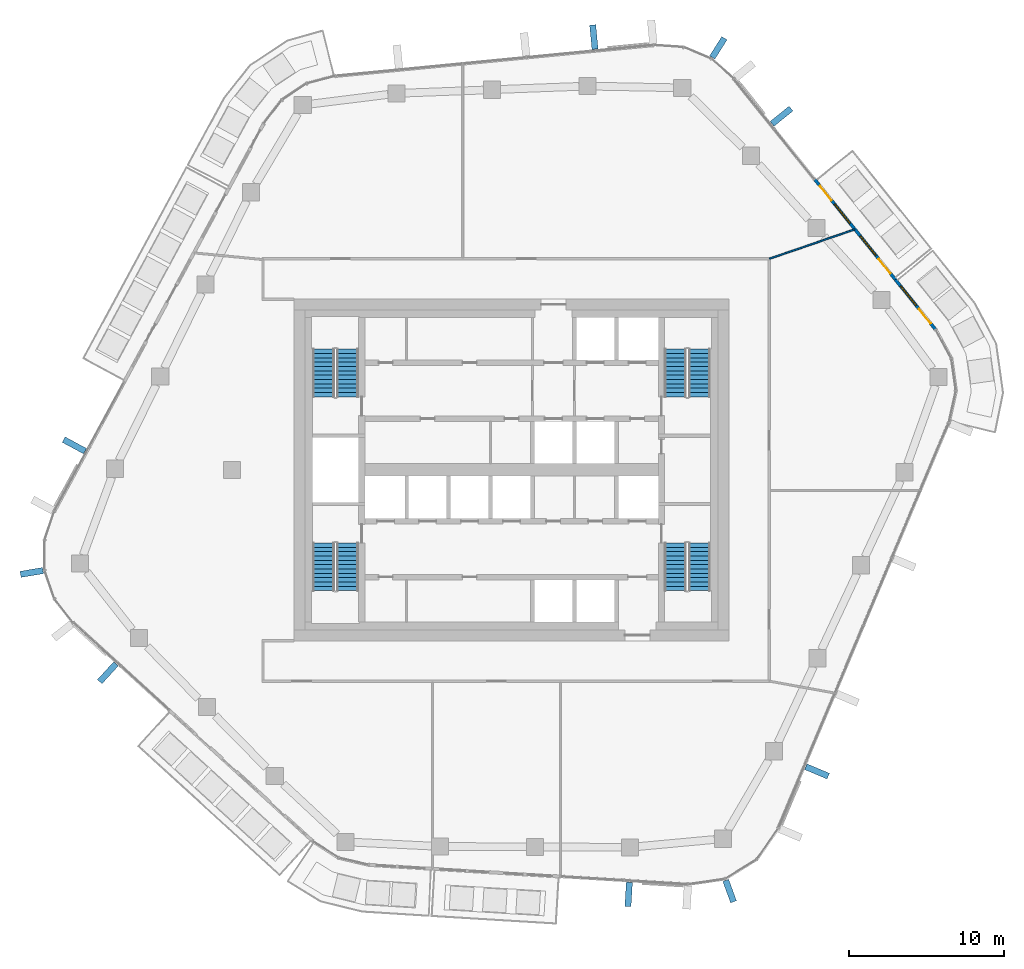
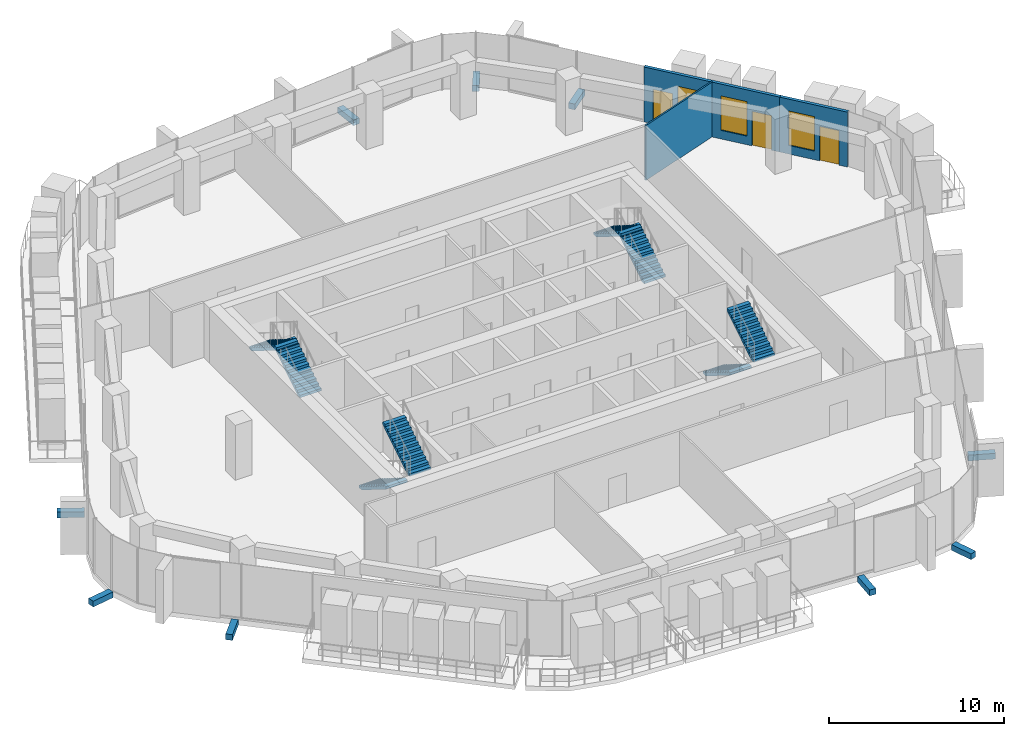
# One storey, part 14 of 20: 9 discrete accessories, 8 stair flights, 3 doors, 3 walls, 3 windows, 6 openings, 4 elements without a shape of their own.
"""IFC4 building model written with IfcOpenShell, lengths in metres."""

from ifc_helpers import new_model, si_unit, direction, frame, frame_2d, origin, origin_2d, place, context, subcontext, project, spatial, polyline, rectangle, outline, extrude, material, layer, layer_set, type_object, element, fill, aggregate, save


model = new_model("IFC4")

# Units and contexts
model_context = context("Model", 3, precision=1e-05, world=origin(), true_north=direction((0.0, 1.0)))
body_context = subcontext(model_context, "Body", "Model", "MODEL_VIEW")
ifc_project = project(units=[si_unit("LENGTHUNIT", "METRE"), si_unit("AREAUNIT", "SQUARE_METRE"), si_unit("VOLUMEUNIT", "CUBIC_METRE"), si_unit("PLANEANGLEUNIT", "RADIAN"), si_unit("MASSUNIT", "GRAM", prefix="KILO")], contexts=[model_context])

# Site, building, storey
site_placement = place(None, origin())
site = spatial("IfcSite", under=ifc_project, at=site_placement, CompositionType="ELEMENT")
building_placement = place(site_placement, origin())
building = spatial("IfcBuilding", under=site, at=building_placement, Name="Dongbaek Canopy Tower", CompositionType="ELEMENT")
storey_placement = place(building_placement, frame((0.0, 0.0, 258.0)))
storey = spatial("IfcBuildingStorey", under=building, at=storey_placement, Name="L54", CompositionType="ELEMENT", Elevation=258.0)

# Wall
ifc_material_1 = material(Name="Gypsum board partition, steel stud, 2 x 12.5 mm board", Category="steel")
ifc_layer_1 = layer(ifc_material_1, 0.10009765625)
ifc_layer_set_1 = layer_set([ifc_layer_1], Name="Partition 100 gypsum board")
wall_type_1 = type_object("IfcWallType", Name="Partition 100 gypsum board", PredefinedType="PARTITIONING", material=ifc_layer_set_1)
wall_1_placement = place(storey_placement, frame((16.60009765625, 13.599853515625, 0.0), z_axis=(0.0, 0.0, 1.0), x_axis=(0.946142628781, 0.323750098073, 0.0)))
element("IfcWall", 1, at=wall_1_placement, inside=storey, type_object=wall_type_1, Name="Partition", PredefinedType="PARTITIONING", context=body_context, shape_type="SweptSolid", body=[
    extrude(rectangle(XDim=5.80517578125, YDim=0.10009765625, at=frame_2d((2.902587890625, 0.0))), origin(), (0.0, 0.0, 1.0), 3.820068359375),
])

# Wall, openings, doors, windows
ifc_material_2 = material(Name="Aluminium window wall", Category="aluminium")
ifc_layer_2 = layer(ifc_material_2, 0.199951171875)
ifc_layer_set_2 = layer_set([ifc_layer_2], Name="Window wall 200")
wall_type_2 = type_object("IfcWallType", Name="Window wall 200", PredefinedType="SOLIDWALL", material=ifc_layer_set_2)
wall_2_placement = place(storey_placement, frame((24.712158203125, 12.25537109375, 0.0), z_axis=(0.0, 0.0, 1.0), x_axis=(-0.626871708653, 0.77912249415, 0.0)))
wall_2 = element("IfcWall", 2, at=wall_2_placement, inside=storey, type_object=wall_type_2, Name="Window wall L54 1", PredefinedType="SOLIDWALL", context=body_context, shape_type="SweptSolid", body=[
    extrude(rectangle(XDim=8.29345703125, YDim=0.199951171875, at=frame_2d((4.146728515625, 0.0))), origin(), (0.0, 0.0, 1.0), 3.820068359375),
])
opening_1_placement = place(wall_2_placement, frame((2.0, 0.0, 0.60009765625)))
opening_1 = element("IfcOpeningElement", 3, at=opening_1_placement, cuts=wall_2, Name="Opening W1", PredefinedType="OPENING", context=body_context, shape_type="SweptSolid", body=[
    extrude(rectangle(XDim=1.60009765625, YDim=2.39990234375, at=frame_2d((0.800048828125, 1.199951171875))), frame((0.0, 0.10986328125, 0.0), z_axis=(0.0, -1.0, 0.0), x_axis=(1.0, 0.0, 0.0)), (0.0, 0.0, 1.0), 0.219970703125),
])
opening_2_placement = place(wall_2_placement, frame((0.5, 0.0, 0.0)))
opening_2 = element("IfcOpeningElement", 4, at=opening_2_placement, cuts=wall_2, Name="Opening L54-B01", PredefinedType="OPENING", context=body_context, shape_type="SweptSolid", body=[
    extrude(rectangle(XDim=1.199951171875, YDim=2.39990234375, at=frame_2d((0.60009765625, 1.199951171875))), frame((0.0, 0.10986328125, 0.0), z_axis=(0.0, -1.0, 0.0), x_axis=(1.0, 0.0, 0.0)), (0.0, 0.0, 1.0), 0.219970703125),
])
opening_3_placement = place(wall_2_placement, frame((4.646728515625, 0.0, 0.60009765625)))
opening_3 = element("IfcOpeningElement", 5, at=opening_3_placement, cuts=wall_2, Name="Opening W1", PredefinedType="OPENING", context=body_context, shape_type="SweptSolid", body=[
    extrude(rectangle(XDim=1.60009765625, YDim=2.39990234375, at=frame_2d((0.800048828125, 1.199951171875))), frame((0.0, 0.10986328125, 0.0), z_axis=(0.0, -1.0, 0.0), x_axis=(1.0, 0.0, 0.0)), (0.0, 0.0, 1.0), 0.219970703125),
])
opening_4_placement = place(wall_2_placement, frame((6.546875, 0.0, 0.0)))
opening_4 = element("IfcOpeningElement", 6, at=opening_4_placement, cuts=wall_2, Name="Opening L54-B02", PredefinedType="OPENING", context=body_context, shape_type="SweptSolid", body=[
    extrude(rectangle(XDim=1.199951171875, YDim=2.39990234375, at=frame_2d((0.60009765625, 1.199951171875))), frame((0.0, 0.10986328125, 0.0), z_axis=(0.0, -1.0, 0.0), x_axis=(1.0, 0.0, 0.0)), (0.0, 0.0, 1.0), 0.219970703125),
])
ifc_material_3 = material(Name="Clear glazing in aluminium frame", Category="aluminium")
door_type = type_object("IfcDoorType", Name="Balcony door BD1 1200 x 2400", OperationType="SLIDING_TO_LEFT", PredefinedType="DOOR", material=ifc_material_3)
door_1_placement = place(opening_2_placement, origin())
door_1 = element("IfcDoor", 7, at=door_1_placement, inside=storey, type_object=door_type, Name="Balcony door L54-B01", OperationType="SLIDING_TO_LEFT", OverallHeight=2.39990234375, OverallWidth=1.199951171875, PredefinedType="DOOR", context=body_context, shape_type="SweptSolid", body=[
    extrude(rectangle(XDim=1.199951171875, YDim=2.39990234375, at=frame_2d((0.60009765625, 1.199951171875))), frame((0.0, 0.02490234375, 0.0), z_axis=(0.0, -1.0, 0.0), x_axis=(1.0, 0.0, 0.0)), (0.0, 0.0, 1.0), 0.050048828125),
])
fill(opening_2, door_1)
door_2_placement = place(opening_4_placement, origin())
door_2 = element("IfcDoor", 8, at=door_2_placement, inside=storey, type_object=door_type, Name="Balcony door L54-B02", OperationType="SLIDING_TO_LEFT", OverallHeight=2.39990234375, OverallWidth=1.199951171875, PredefinedType="DOOR", context=body_context, shape_type="SweptSolid", body=[
    extrude(rectangle(XDim=1.199951171875, YDim=2.39990234375, at=frame_2d((0.60009765625, 1.199951171875))), frame((0.0, 0.02490234375, 0.0), z_axis=(0.0, -1.0, 0.0), x_axis=(1.0, 0.0, 0.0)), (0.0, 0.0, 1.0), 0.050048828125),
])
fill(opening_4, door_2)
ifc_material_4 = material(Name="Clear glazing in aluminium frame", Category="aluminium")
window_type = type_object("IfcWindowType", Name="Window W1 1600 x 2400", PartitioningType="SINGLE_PANEL", PredefinedType="WINDOW", material=ifc_material_4)
window_1_placement = place(opening_1_placement, origin())
window_1 = element("IfcWindow", 9, at=window_1_placement, inside=storey, type_object=window_type, Name="Window L54 1.1", OverallHeight=2.39990234375, OverallWidth=1.60009765625, PartitioningType="SINGLE_PANEL", PredefinedType="WINDOW", context=body_context, shape_type="SweptSolid", body=[
    extrude(rectangle(XDim=1.60009765625, YDim=2.39990234375, at=frame_2d((0.800048828125, 1.199951171875))), frame((0.0, 0.030029296875, 0.0), z_axis=(0.0, -1.0, 0.0), x_axis=(1.0, 0.0, 0.0)), (0.0, 0.0, 1.0), 0.06005859375),
])
fill(opening_1, window_1)
window_2_placement = place(opening_3_placement, origin())
window_2 = element("IfcWindow", 10, at=window_2_placement, inside=storey, type_object=window_type, Name="Window L54 1.2", OverallHeight=2.39990234375, OverallWidth=1.60009765625, PartitioningType="SINGLE_PANEL", PredefinedType="WINDOW", context=body_context, shape_type="SweptSolid", body=[
    extrude(rectangle(XDim=1.60009765625, YDim=2.39990234375, at=frame_2d((0.800048828125, 1.199951171875))), frame((0.0, 0.030029296875, 0.0), z_axis=(0.0, -1.0, 0.0), x_axis=(1.0, 0.0, 0.0)), (0.0, 0.0, 1.0), 0.06005859375),
])
fill(opening_3, window_2)

# Wall, openings, door, window
wall_3_placement = place(storey_placement, frame((27.305908203125, 9.031494140625, 0.0), z_axis=(0.0, 0.0, 1.0), x_axis=(-0.626851318776, 0.779138899137, 0.0)))
wall_3 = element("IfcWall", 11, at=wall_3_placement, inside=storey, type_object=wall_type_2, Name="Window wall L54 5", PredefinedType="SOLIDWALL", context=body_context, shape_type="SweptSolid", body=[
    extrude(rectangle(XDim=4.1376953125, YDim=0.199951171875, at=frame_2d((2.06884765625, 0.0))), origin(), (0.0, 0.0, 1.0), 3.820068359375),
])
opening_5_placement = place(wall_3_placement, frame((2.0, 0.0, 0.60009765625)))
opening_5 = element("IfcOpeningElement", 12, at=opening_5_placement, cuts=wall_3, Name="Opening W1", PredefinedType="OPENING", context=body_context, shape_type="SweptSolid", body=[
    extrude(rectangle(XDim=1.60009765625, YDim=2.39990234375, at=frame_2d((0.800048828125, 1.199951171875))), frame((0.0, 0.10986328125, 0.0), z_axis=(0.0, -1.0, 0.0), x_axis=(1.0, 0.0, 0.0)), (0.0, 0.0, 1.0), 0.219970703125),
])
opening_6_placement = place(wall_3_placement, frame((0.5, 0.0, 0.0)))
opening_6 = element("IfcOpeningElement", 13, at=opening_6_placement, cuts=wall_3, Name="Opening L54-B03", PredefinedType="OPENING", context=body_context, shape_type="SweptSolid", body=[
    extrude(rectangle(XDim=1.199951171875, YDim=2.39990234375, at=frame_2d((0.60009765625, 1.199951171875))), frame((0.0, 0.10986328125, 0.0), z_axis=(0.0, -1.0, 0.0), x_axis=(1.0, 0.0, 0.0)), (0.0, 0.0, 1.0), 0.219970703125),
])
door_3_placement = place(opening_6_placement, origin())
door_3 = element("IfcDoor", 14, at=door_3_placement, inside=storey, type_object=door_type, Name="Balcony door L54-B03", OperationType="SLIDING_TO_LEFT", OverallHeight=2.39990234375, OverallWidth=1.199951171875, PredefinedType="DOOR", context=body_context, shape_type="SweptSolid", body=[
    extrude(rectangle(XDim=1.199951171875, YDim=2.39990234375, at=frame_2d((0.60009765625, 1.199951171875))), frame((0.0, 0.02490234375, 0.0), z_axis=(0.0, -1.0, 0.0), x_axis=(1.0, 0.0, 0.0)), (0.0, 0.0, 1.0), 0.050048828125),
])
fill(opening_6, door_3)
window_3_placement = place(opening_5_placement, origin())
window_3 = element("IfcWindow", 15, at=window_3_placement, inside=storey, type_object=window_type, Name="Window L54 5.1", OverallHeight=2.39990234375, OverallWidth=1.60009765625, PartitioningType="SINGLE_PANEL", PredefinedType="WINDOW", context=body_context, shape_type="SweptSolid", body=[
    extrude(rectangle(XDim=1.60009765625, YDim=2.39990234375, at=frame_2d((0.800048828125, 1.199951171875))), frame((0.0, 0.030029296875, 0.0), z_axis=(0.0, -1.0, 0.0), x_axis=(1.0, 0.0, 0.0)), (0.0, 0.0, 1.0), 0.06005859375),
])
fill(opening_5, window_3)

# Stair, stair flights
ifc_material_5 = material(Name="Concrete C40/50", Category="concrete")
stair_type = type_object("IfcStairType", Name="Core exit stair", PredefinedType="HALF_TURN_STAIR", material=ifc_material_5)
stair_1_placement = place(storey_placement, origin())
stair_1 = element("IfcStair", 16, at=stair_1_placement, inside=storey, type_object=stair_type, Name="L54 exit stair A", PredefinedType="HALF_TURN_STAIR")
ifc_material_6 = material(Name="Concrete C40/50", Category="concrete")
ifc_layer_3 = layer(ifc_material_6, 0.14990234375)
ifc_layer_set_3 = layer_set([ifc_layer_3], Name="Core stair flight 150 waist")
stair_flight_type = type_object("IfcStairFlightType", Name="Core stair flight 150 waist", PredefinedType="STRAIGHT", material=ifc_layer_set_3)
stair_flight_1_placement = place(storey_placement, frame((12.10009765625, 4.699951171875, 0.0), z_axis=(0.0, 0.0, 1.0), x_axis=(0.0, 1.0, 0.0)))
stair_flight_1 = element("IfcStairFlight", 17, at=stair_flight_1_placement, type_object=stair_flight_type, Name="ST-A flight 1", NumberOfRisers=12, NumberOfTreads=11, PredefinedType="STRAIGHT", RiserHeight=0.175, TreadLength=0.28, context=body_context, shape_type="SweptSolid", body=[
    extrude(outline(polyline([(0.0, 0.0), (0.0, 0.175048828125), (0.280029296875, 0.175048828125), (0.280029296875, 0.35009765625), (0.56005859375, 0.35009765625), (0.56005859375, 0.52490234375), (0.840087890625, 0.52490234375), (0.840087890625, 0.699951171875), (1.1201171875, 0.699951171875), (1.1201171875, 0.875), (1.39990234375, 0.875), (1.39990234375, 1.050048828125), (1.679931640625, 1.050048828125), (1.679931640625, 1.22509765625), (1.9599609375, 1.22509765625), (1.9599609375, 1.39990234375), (2.239990234375, 1.39990234375), (2.239990234375, 1.574951171875), (2.52001953125, 1.574951171875), (2.52001953125, 1.75), (2.800048828125, 1.75), (2.800048828125, 1.925048828125), (3.080078125, 1.925048828125), (3.080078125, 2.10009765625), (3.080078125, 1.748291015625), (0.28271484375, 0.0), (0.0, 0.0)])), frame((0.0, 0.699951171875, 0.0), z_axis=(0.0, -1.0, 0.0), x_axis=(1.0, 0.0, 0.0)), (0.0, 0.0, 1.0), 1.39990234375),
])
stair_flight_2_placement = place(storey_placement, frame((10.550048828125, 7.780029296875, 2.10009765625), z_axis=(0.0, 0.0, 1.0), x_axis=(0.0, -1.0, 0.0)))
stair_flight_2 = element("IfcStairFlight", 18, at=stair_flight_2_placement, type_object=stair_flight_type, Name="ST-A flight 2", NumberOfRisers=12, NumberOfTreads=11, PredefinedType="STRAIGHT", RiserHeight=0.175, TreadLength=0.28, context=body_context, shape_type="SweptSolid", body=[
    extrude(outline(polyline([(0.0, 0.0), (0.0, 0.175048828125), (0.280029296875, 0.175048828125), (0.280029296875, 0.35009765625), (0.56005859375, 0.35009765625), (0.56005859375, 0.52490234375), (0.840087890625, 0.52490234375), (0.840087890625, 0.699951171875), (1.1201171875, 0.699951171875), (1.1201171875, 0.875), (1.39990234375, 0.875), (1.39990234375, 1.050048828125), (1.679931640625, 1.050048828125), (1.679931640625, 1.22509765625), (1.9599609375, 1.22509765625), (1.9599609375, 1.39990234375), (2.239990234375, 1.39990234375), (2.239990234375, 1.574951171875), (2.52001953125, 1.574951171875), (2.52001953125, 1.75), (2.800048828125, 1.75), (2.800048828125, 1.925048828125), (3.080078125, 1.925048828125), (3.080078125, 2.10009765625), (3.080078125, 1.748291015625), (0.28271484375, 0.0), (0.0, 0.0)])), frame((0.0, 0.699951171875, 0.0), z_axis=(0.0, -1.0, 0.0), x_axis=(1.0, 0.0, 0.0)), (0.0, 0.0, 1.0), 1.39990234375),
])
aggregate(stair_1, [stair_flight_1, stair_flight_2])

stair_2_placement = place(storey_placement, origin())
stair_2 = element("IfcStair", 19, at=stair_2_placement, inside=storey, type_object=stair_type, Name="L54 exit stair C", PredefinedType="HALF_TURN_STAIR")
stair_flight_3_placement = place(storey_placement, frame((-10.550048828125, 4.699951171875, 0.0), z_axis=(0.0, 0.0, 1.0), x_axis=(0.0, 1.0, 0.0)))
stair_flight_3 = element("IfcStairFlight", 20, at=stair_flight_3_placement, type_object=stair_flight_type, Name="ST-C flight 1", NumberOfRisers=12, NumberOfTreads=11, PredefinedType="STRAIGHT", RiserHeight=0.175, TreadLength=0.28, context=body_context, shape_type="SweptSolid", body=[
    extrude(outline(polyline([(0.0, 0.0), (0.0, 0.175048828125), (0.280029296875, 0.175048828125), (0.280029296875, 0.35009765625), (0.56005859375, 0.35009765625), (0.56005859375, 0.52490234375), (0.840087890625, 0.52490234375), (0.840087890625, 0.699951171875), (1.1201171875, 0.699951171875), (1.1201171875, 0.875), (1.39990234375, 0.875), (1.39990234375, 1.050048828125), (1.679931640625, 1.050048828125), (1.679931640625, 1.22509765625), (1.9599609375, 1.22509765625), (1.9599609375, 1.39990234375), (2.239990234375, 1.39990234375), (2.239990234375, 1.574951171875), (2.52001953125, 1.574951171875), (2.52001953125, 1.75), (2.800048828125, 1.75), (2.800048828125, 1.925048828125), (3.080078125, 1.925048828125), (3.080078125, 2.10009765625), (3.080078125, 1.748291015625), (0.28271484375, 0.0), (0.0, 0.0)])), frame((0.0, 0.699951171875, 0.0), z_axis=(0.0, -1.0, 0.0), x_axis=(1.0, 0.0, 0.0)), (0.0, 0.0, 1.0), 1.39990234375),
])
stair_flight_4_placement = place(storey_placement, frame((-12.10009765625, 7.780029296875, 2.10009765625), z_axis=(0.0, 0.0, 1.0), x_axis=(0.0, -1.0, 0.0)))
stair_flight_4 = element("IfcStairFlight", 21, at=stair_flight_4_placement, type_object=stair_flight_type, Name="ST-C flight 2", NumberOfRisers=12, NumberOfTreads=11, PredefinedType="STRAIGHT", RiserHeight=0.175, TreadLength=0.28, context=body_context, shape_type="SweptSolid", body=[
    extrude(outline(polyline([(0.0, 0.0), (0.0, 0.175048828125), (0.280029296875, 0.175048828125), (0.280029296875, 0.35009765625), (0.56005859375, 0.35009765625), (0.56005859375, 0.52490234375), (0.840087890625, 0.52490234375), (0.840087890625, 0.699951171875), (1.1201171875, 0.699951171875), (1.1201171875, 0.875), (1.39990234375, 0.875), (1.39990234375, 1.050048828125), (1.679931640625, 1.050048828125), (1.679931640625, 1.22509765625), (1.9599609375, 1.22509765625), (1.9599609375, 1.39990234375), (2.239990234375, 1.39990234375), (2.239990234375, 1.574951171875), (2.52001953125, 1.574951171875), (2.52001953125, 1.75), (2.800048828125, 1.75), (2.800048828125, 1.925048828125), (3.080078125, 1.925048828125), (3.080078125, 2.10009765625), (3.080078125, 1.748291015625), (0.28271484375, 0.0), (0.0, 0.0)])), frame((0.0, 0.699951171875, 0.0), z_axis=(0.0, -1.0, 0.0), x_axis=(1.0, 0.0, 0.0)), (0.0, 0.0, 1.0), 1.39990234375),
])
aggregate(stair_2, [stair_flight_3, stair_flight_4])

stair_3_placement = place(storey_placement, origin())
stair_3 = element("IfcStair", 22, at=stair_3_placement, inside=storey, type_object=stair_type, Name="L54 exit stair B", PredefinedType="HALF_TURN_STAIR")
stair_flight_5_placement = place(storey_placement, frame((10.550048828125, -4.699951171875, 0.0), z_axis=(0.0, 0.0, 1.0), x_axis=(0.0, -1.0, 0.0)))
stair_flight_5 = element("IfcStairFlight", 23, at=stair_flight_5_placement, type_object=stair_flight_type, Name="ST-B flight 1", NumberOfRisers=12, NumberOfTreads=11, PredefinedType="STRAIGHT", RiserHeight=0.175, TreadLength=0.28, context=body_context, shape_type="SweptSolid", body=[
    extrude(outline(polyline([(0.0, 0.0), (0.0, 0.175048828125), (0.280029296875, 0.175048828125), (0.280029296875, 0.35009765625), (0.56005859375, 0.35009765625), (0.56005859375, 0.52490234375), (0.840087890625, 0.52490234375), (0.840087890625, 0.699951171875), (1.1201171875, 0.699951171875), (1.1201171875, 0.875), (1.39990234375, 0.875), (1.39990234375, 1.050048828125), (1.679931640625, 1.050048828125), (1.679931640625, 1.22509765625), (1.9599609375, 1.22509765625), (1.9599609375, 1.39990234375), (2.239990234375, 1.39990234375), (2.239990234375, 1.574951171875), (2.52001953125, 1.574951171875), (2.52001953125, 1.75), (2.800048828125, 1.75), (2.800048828125, 1.925048828125), (3.080078125, 1.925048828125), (3.080078125, 2.10009765625), (3.080078125, 1.748291015625), (0.28271484375, 0.0), (0.0, 0.0)])), frame((0.0, 0.699951171875, 0.0), z_axis=(0.0, -1.0, 0.0), x_axis=(1.0, 0.0, 0.0)), (0.0, 0.0, 1.0), 1.39990234375),
])
stair_flight_6_placement = place(storey_placement, frame((12.10009765625, -7.780029296875, 2.10009765625), z_axis=(0.0, 0.0, 1.0), x_axis=(0.0, 1.0, 0.0)))
stair_flight_6 = element("IfcStairFlight", 24, at=stair_flight_6_placement, type_object=stair_flight_type, Name="ST-B flight 2", NumberOfRisers=12, NumberOfTreads=11, PredefinedType="STRAIGHT", RiserHeight=0.175, TreadLength=0.28, context=body_context, shape_type="SweptSolid", body=[
    extrude(outline(polyline([(0.0, 0.0), (0.0, 0.175048828125), (0.280029296875, 0.175048828125), (0.280029296875, 0.35009765625), (0.56005859375, 0.35009765625), (0.56005859375, 0.52490234375), (0.840087890625, 0.52490234375), (0.840087890625, 0.699951171875), (1.1201171875, 0.699951171875), (1.1201171875, 0.875), (1.39990234375, 0.875), (1.39990234375, 1.050048828125), (1.679931640625, 1.050048828125), (1.679931640625, 1.22509765625), (1.9599609375, 1.22509765625), (1.9599609375, 1.39990234375), (2.239990234375, 1.39990234375), (2.239990234375, 1.574951171875), (2.52001953125, 1.574951171875), (2.52001953125, 1.75), (2.800048828125, 1.75), (2.800048828125, 1.925048828125), (3.080078125, 1.925048828125), (3.080078125, 2.10009765625), (3.080078125, 1.748291015625), (0.28271484375, 0.0), (0.0, 0.0)])), frame((0.0, 0.699951171875, 0.0), z_axis=(0.0, -1.0, 0.0), x_axis=(1.0, 0.0, 0.0)), (0.0, 0.0, 1.0), 1.39990234375),
])
aggregate(stair_3, [stair_flight_5, stair_flight_6])

stair_4_placement = place(storey_placement, origin())
stair_4 = element("IfcStair", 25, at=stair_4_placement, inside=storey, type_object=stair_type, Name="L54 exit stair D", PredefinedType="HALF_TURN_STAIR")
stair_flight_7_placement = place(storey_placement, frame((-12.10009765625, -4.699951171875, 0.0), z_axis=(0.0, 0.0, 1.0), x_axis=(0.0, -1.0, 0.0)))
stair_flight_7 = element("IfcStairFlight", 26, at=stair_flight_7_placement, type_object=stair_flight_type, Name="ST-D flight 1", NumberOfRisers=12, NumberOfTreads=11, PredefinedType="STRAIGHT", RiserHeight=0.175, TreadLength=0.28, context=body_context, shape_type="SweptSolid", body=[
    extrude(outline(polyline([(0.0, 0.0), (0.0, 0.175048828125), (0.280029296875, 0.175048828125), (0.280029296875, 0.35009765625), (0.56005859375, 0.35009765625), (0.56005859375, 0.52490234375), (0.840087890625, 0.52490234375), (0.840087890625, 0.699951171875), (1.1201171875, 0.699951171875), (1.1201171875, 0.875), (1.39990234375, 0.875), (1.39990234375, 1.050048828125), (1.679931640625, 1.050048828125), (1.679931640625, 1.22509765625), (1.9599609375, 1.22509765625), (1.9599609375, 1.39990234375), (2.239990234375, 1.39990234375), (2.239990234375, 1.574951171875), (2.52001953125, 1.574951171875), (2.52001953125, 1.75), (2.800048828125, 1.75), (2.800048828125, 1.925048828125), (3.080078125, 1.925048828125), (3.080078125, 2.10009765625), (3.080078125, 1.748291015625), (0.28271484375, 0.0), (0.0, 0.0)])), frame((0.0, 0.699951171875, 0.0), z_axis=(0.0, -1.0, 0.0), x_axis=(1.0, 0.0, 0.0)), (0.0, 0.0, 1.0), 1.39990234375),
])
stair_flight_8_placement = place(storey_placement, frame((-10.550048828125, -7.780029296875, 2.10009765625), z_axis=(0.0, 0.0, 1.0), x_axis=(0.0, 1.0, 0.0)))
stair_flight_8 = element("IfcStairFlight", 27, at=stair_flight_8_placement, type_object=stair_flight_type, Name="ST-D flight 2", NumberOfRisers=12, NumberOfTreads=11, PredefinedType="STRAIGHT", RiserHeight=0.175, TreadLength=0.28, context=body_context, shape_type="SweptSolid", body=[
    extrude(outline(polyline([(0.0, 0.0), (0.0, 0.175048828125), (0.280029296875, 0.175048828125), (0.280029296875, 0.35009765625), (0.56005859375, 0.35009765625), (0.56005859375, 0.52490234375), (0.840087890625, 0.52490234375), (0.840087890625, 0.699951171875), (1.1201171875, 0.699951171875), (1.1201171875, 0.875), (1.39990234375, 0.875), (1.39990234375, 1.050048828125), (1.679931640625, 1.050048828125), (1.679931640625, 1.22509765625), (1.9599609375, 1.22509765625), (1.9599609375, 1.39990234375), (2.239990234375, 1.39990234375), (2.239990234375, 1.574951171875), (2.52001953125, 1.574951171875), (2.52001953125, 1.75), (2.800048828125, 1.75), (2.800048828125, 1.925048828125), (3.080078125, 1.925048828125), (3.080078125, 2.10009765625), (3.080078125, 1.748291015625), (0.28271484375, 0.0), (0.0, 0.0)])), frame((0.0, 0.699951171875, 0.0), z_axis=(0.0, -1.0, 0.0), x_axis=(1.0, 0.0, 0.0)), (0.0, 0.0, 1.0), 1.39990234375),
])
aggregate(stair_4, [stair_flight_7, stair_flight_8])

# Discrete accessories
ifc_material_7 = material(Name="Galvanised steel S355 bracket", Category="steel")
discrete_accessory_type = type_object("IfcDiscreteAccessoryType", Name="Crease fin bracket BR3 400", PredefinedType="BRACKET", material=ifc_material_7)
discrete_accessory_1_placement = place(storey_placement, frame((17.385498046875, 22.7744140625, -0.389892578125), z_axis=(0.0, 0.0, 1.0), x_axis=(0.779126850138, 0.62686629467, 0.0)))
element("IfcDiscreteAccessory", 28, at=discrete_accessory_1_placement, inside=storey, type_object=discrete_accessory_type, Name="Crease fin bracket L54 F0", PredefinedType="BRACKET", context=body_context, shape_type="SweptSolid", body=[
    extrude(rectangle(XDim=1.5712890625, YDim=0.39990234375, at=origin_2d()), origin(), (0.0, 0.0, 1.0), 0.39990234375),
])
discrete_accessory_2_placement = place(storey_placement, frame((5.30078125, 27.867919921875, -0.389892578125), z_axis=(0.0, 0.0, 1.0), x_axis=(-0.096505903151, 0.99533241214, 0.0)))
element("IfcDiscreteAccessory", 29, at=discrete_accessory_2_placement, inside=storey, type_object=discrete_accessory_type, Name="Crease fin bracket L54 F1", PredefinedType="BRACKET", context=body_context, shape_type="SweptSolid", body=[
    extrude(rectangle(XDim=1.568115234375, YDim=0.39990234375, at=origin_2d()), origin(), (0.0, 0.0, 1.0), 0.39990234375),
])
discrete_accessory_3_placement = place(storey_placement, frame((-28.1484375, 1.579833984375, -0.389892578125), z_axis=(0.0, 0.0, 1.0), x_axis=(-0.879876754769, 0.475201953296, 0.0)))
element("IfcDiscreteAccessory", 30, at=discrete_accessory_3_placement, inside=storey, type_object=discrete_accessory_type, Name="Crease fin bracket L54 F2", PredefinedType="BRACKET", context=body_context, shape_type="SweptSolid", body=[
    extrude(rectangle(XDim=1.565185546875, YDim=0.39990234375, at=origin_2d()), origin(), (0.0, 0.0, 1.0), 0.39990234375),
])
discrete_accessory_4_placement = place(storey_placement, frame((-25.9921875, -13.0615234375, -0.389892578125), z_axis=(0.0, 0.0, 1.0), x_axis=(-0.673879535068, -0.738841236137, 0.0)))
element("IfcDiscreteAccessory", 31, at=discrete_accessory_4_placement, inside=storey, type_object=discrete_accessory_type, Name="Crease fin bracket L54 F3", PredefinedType="BRACKET", context=body_context, shape_type="SweptSolid", body=[
    extrude(rectangle(XDim=1.554931640625, YDim=0.39990234375, at=origin_2d()), origin(), (0.0, 0.0, 1.0), 0.39990234375),
])
discrete_accessory_5_placement = place(storey_placement, frame((7.541015625, -27.32861328125, -0.389892578125), z_axis=(0.0, 0.0, 1.0), x_axis=(-0.060745415873, -0.99815329206, 0.0)))
element("IfcDiscreteAccessory", 32, at=discrete_accessory_5_placement, inside=storey, type_object=discrete_accessory_type, Name="Crease fin bracket L54 F4", PredefinedType="BRACKET", context=body_context, shape_type="SweptSolid", body=[
    extrude(rectangle(XDim=1.5576171875, YDim=0.39990234375, at=origin_2d()), origin(), (0.0, 0.0, 1.0), 0.39990234375),
])
discrete_accessory_6_placement = place(storey_placement, frame((19.669921875, -19.414794921875, -0.389892578125), z_axis=(0.0, 0.0, 1.0), x_axis=(0.92178738364, -0.387695781976, 0.0)))
element("IfcDiscreteAccessory", 33, at=discrete_accessory_6_placement, inside=storey, type_object=discrete_accessory_type, Name="Crease fin bracket L54 F5", PredefinedType="BRACKET", context=body_context, shape_type="SweptSolid", body=[
    extrude(rectangle(XDim=1.570556640625, YDim=0.39990234375, at=origin_2d()), origin(), (0.0, 0.0, 1.0), 0.39990234375),
])
for number, where, z_axis, x_axis, name in (
    (34, (13.3134765625, 27.1748046875, -0.389892578125), (0.0, 0.0, 1.0), (0.533974629453, 0.845500499764, 0.0), "Corner fin bracket L54 K1"),
    (35, (-30.89111328125, -6.603271484375, -0.389892578125), (0.0, 0.0, 1.0), (-0.985907998064, -0.167288431619, 0.0), "Corner fin bracket L54 K3"),
    (36, (14.04150390625, -27.117919921875, -0.389892578125), (0.0, 0.0, 1.0), (0.343241708253, -0.939247107909, 0.0), "Corner fin bracket L54 K5"),
):
    element("IfcDiscreteAccessory", number, at=place(storey_placement, frame(where, z_axis=z_axis, x_axis=x_axis)), inside=storey, type_object=discrete_accessory_type, Name=name, PredefinedType="BRACKET", context=body_context, shape_type="SweptSolid", body=[
        extrude(rectangle(XDim=1.469970703125, YDim=0.39990234375, at=origin_2d()), origin(), (0.0, 0.0, 1.0), 0.39990234375),
    ])

save(model, "model.ifc")
